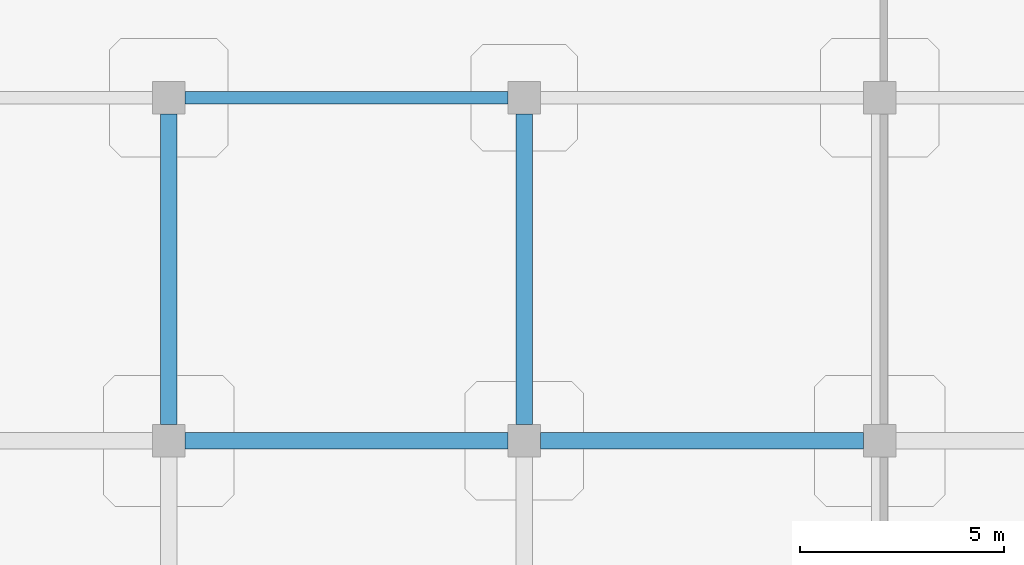
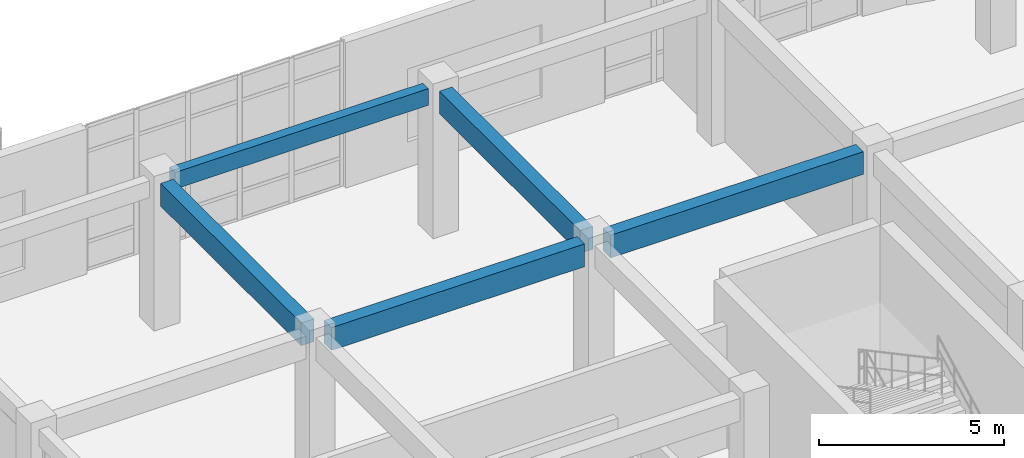
# One storey, part 74 of 124: 5 beams.
"""IFC4 building model written with IfcOpenShell, lengths in metres."""

from ifc_helpers import new_model, si_unit, derived_unit, direction, frame, origin, origin_2d, place, context, subcontext, project, spatial, rectangle, extrude, material, material_profile, profile_set, type_object, element, save


model = new_model("IFC4")

# Units and contexts
model_context = context("Model", 3, precision=1e-05, world=origin(), true_north=direction((0.0, 1.0)))
body_context = subcontext(model_context, "Body", "Model", "MODEL_VIEW")
ifc_project = project(units=[si_unit("LENGTHUNIT", "METRE"), si_unit("AREAUNIT", "SQUARE_METRE"), si_unit("VOLUMEUNIT", "CUBIC_METRE"), si_unit("PLANEANGLEUNIT", "RADIAN"), si_unit("MASSUNIT", "GRAM", prefix="KILO"), derived_unit("THERMALTRANSMITTANCEUNIT", [(si_unit("MASSUNIT", "GRAM", prefix="KILO"), 1), (si_unit("TIMEUNIT", "SECOND"), -3), (si_unit("THERMODYNAMICTEMPERATUREUNIT", "KELVIN"), -1)])], contexts=[model_context])

# Site, building, storey
site_placement = place(None, origin())
site = spatial("IfcSite", under=ifc_project, at=site_placement, CompositionType="ELEMENT")
building_placement = place(site_placement, origin())
building = spatial("IfcBuilding", under=site, at=building_placement, Name="Qinzheling Arcade Emporium", CompositionType="ELEMENT")
storey_placement = place(building_placement, frame((0.0, 0.0, 16.5)))
storey = spatial("IfcBuildingStorey", under=building, at=storey_placement, Name="L04", CompositionType="ELEMENT", Elevation=16.5)

# Beams
ifc_material = material(Name="Concrete C40", Category="concrete")
ifc_material_profile_1 = material_profile(ifc_material, rectangle(XDim=0.39990234375, YDim=0.75, at=origin_2d()), Name="RC 400x750", Category="concrete")
ifc_profile_set_1 = profile_set([ifc_material_profile_1], Name="Concrete C40")
beam_type_1 = type_object("IfcBeamType", Name="RC Interior Tie Beam 400x750 C40", PredefinedType="BEAM", material=ifc_profile_set_1)
beam_1_placement = place(storey_placement, frame((130.89990234375, 16.800048828125, 4.429931640625), z_axis=(1.0, 0.0, 0.0), x_axis=(0.0, 1.0, 0.0)))
element("IfcBeam", 1, at=beam_1_placement, inside=storey, type_object=beam_type_1, Name="Beam BM-L04-X-C-16", PredefinedType="BEAM", context=body_context, shape_type="SweptSolid", body=[
    extrude(rectangle(XDim=0.39990234375, YDim=0.75, at=origin_2d()), origin(), (0.0, 0.0, 1.0), 7.900146484375),
])
beam_2_placement = place(storey_placement, frame((139.60009765625, 16.800048828125, 4.429931640625), z_axis=(1.0, 0.0, 0.0), x_axis=(0.0, 1.0, 0.0)))
element("IfcBeam", 2, at=beam_2_placement, inside=storey, type_object=beam_type_1, Name="Beam BM-L04-X-C-17", PredefinedType="BEAM", context=body_context, shape_type="SweptSolid", body=[
    extrude(rectangle(XDim=0.39990234375, YDim=0.75, at=origin_2d()), origin(), (0.0, 0.0, 1.0), 7.89990234375),
])
for number, where, z_axis, x_axis, name in (
    (3, (130.5, 17.199951171875, 4.429931640625), (0.0, 1.0, 0.0), (-1.0, 0.0, 0.0), "Beam BM-L04-Y-16-C"),
    (4, (139.199951171875, 17.199951171875, 4.429931640625), (0.0, 1.0, 0.0), (-1.0, 0.0, 0.0), "Beam BM-L04-Y-17-C"),
):
    element("IfcBeam", number, at=place(storey_placement, frame(where, z_axis=z_axis, x_axis=x_axis)), inside=storey, type_object=beam_type_1, Name=name, PredefinedType="BEAM", context=body_context, shape_type="SweptSolid", body=[
        extrude(rectangle(XDim=0.39990234375, YDim=0.75, at=origin_2d()), origin(), (0.0, 0.0, 1.0), 7.60009765625),
    ])
ifc_material_profile_2 = material_profile(ifc_material, rectangle(XDim=0.300048828125, YDim=0.550048828125, at=origin_2d()), Name="RC 300x550", Category="concrete")
ifc_profile_set_2 = profile_set([ifc_material_profile_2], Name="Concrete C40")
beam_type_2 = type_object("IfcBeamType", Name="RC Terrace Spandrel Beam 300x550 C40", PredefinedType="SPANDREL", material=ifc_profile_set_2)
beam_3_placement = place(storey_placement, frame((130.89990234375, 25.199951171875, 4.530029296875), z_axis=(1.0, 0.0, 0.0), x_axis=(0.0, 1.0, 0.0)))
element("IfcBeam", 5, at=beam_3_placement, inside=storey, type_object=beam_type_2, Name="Beam BM-L04-X-D-16", PredefinedType="SPANDREL", context=body_context, shape_type="SweptSolid", body=[
    extrude(rectangle(XDim=0.300048828125, YDim=0.550048828125, at=origin_2d()), origin(), (0.0, 0.0, 1.0), 7.900146484375),
])

save(model, "model.ifc")
